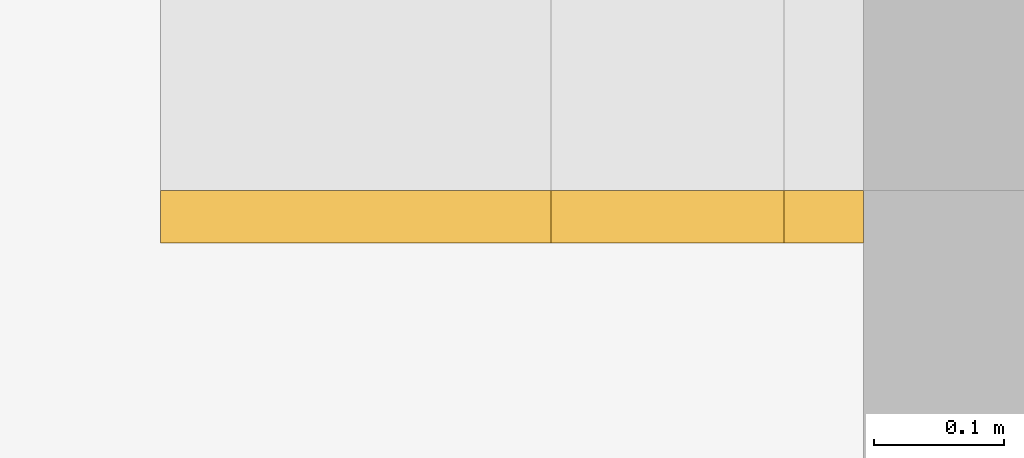
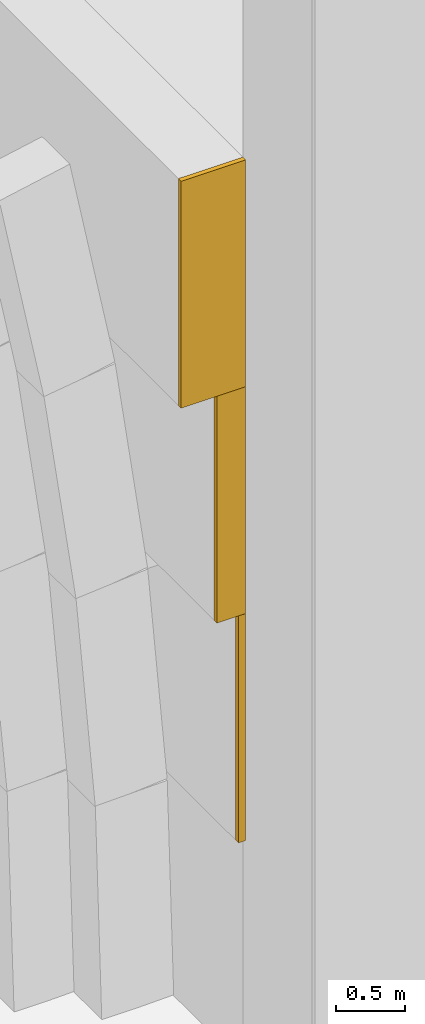
# One storey, part 25 of 34: 3 coverings.
"""IFC4 building model written with IfcOpenShell, lengths in metres."""

import ifcopenshell
import ifcopenshell.guid

model = None  # the IFC model being written
_history = None  # IfcOwnerHistory: only IFC2X3 demands one
_inside = {}  # id of a spatial element -> (the spatial element, [elements in it])
_under = {}  # id of a project, library or spatial element -> (it, [spatial elements below it])
_declared = {}  # id of a project -> (the project, [libraries it declares])
_typed = {}  # id of a type object -> (the type object, [elements of that type])
_made_of = {}  # id of a material, layer set ... -> (it, [elements and type objects made of it])


def new_model(schema):
    """Start an empty IFC model of exactly this schema.

    Asked for "IFC4X3", IfcOpenShell would pick the latest addendum, in which some entities
    have other attributes; the version numbers below select the first issue.
    IFC2X3 requires an IfcOwnerHistory on every rooted entity: one is made here for all.
    """
    global model, _history
    if schema == "IFC4X3":
        model = ifcopenshell.file(schema_version=(4, 3, 0, 0))
    else:
        model = ifcopenshell.file(schema=schema)
    _inside.clear()
    _under.clear()
    _declared.clear()
    _typed.clear()
    _made_of.clear()
    _history = None
    if model.schema == "IFC2X3":
        org = make("IfcOrganization", Name="unknown")
        user = make(
            "IfcPersonAndOrganization",
            ThePerson=make("IfcPerson", FamilyName="unknown"),
            TheOrganization=org,
        )
        app = make(
            "IfcApplication",
            ApplicationDeveloper=org,
            Version="unknown",
            ApplicationFullName="unknown",
            ApplicationIdentifier="unknown",
        )
        _history = make(
            "IfcOwnerHistory",
            OwningUser=user,
            OwningApplication=app,
            ChangeAction="ADDED",
            CreationDate=0,
        )
    return model


def make(cls, **values):
    """One entity of the class cls with the attributes given. An attribute that is None is left unset."""
    return model.create_entity(
        cls, **{name: value for name, value in values.items() if value is not None}
    )


def rooted(cls, **values):
    """An entity with a GlobalId (a new one), such as an element, a storey or a relation."""
    return make(cls, GlobalId=ifcopenshell.guid.new(), OwnerHistory=_history, **values)


def si_unit(unit_type, name, prefix=None):
    """IfcSIUnit, for example si_unit("LENGTHUNIT", "METRE", prefix="MILLI")."""
    return make("IfcSIUnit", UnitType=unit_type, Prefix=prefix, Name=name)


def assignment(units):
    """IfcUnitAssignment: the units of a project."""
    return None if units is None else make("IfcUnitAssignment", Units=units)


def point(xyz):
    """IfcCartesianPoint."""
    return None if xyz is None else make("IfcCartesianPoint", Coordinates=xyz)


def direction(xyz):
    """IfcDirection."""
    return None if xyz is None else make("IfcDirection", DirectionRatios=xyz)


def frame(location, z_axis=None, x_axis=None):
    """IfcAxis2Placement3D, a coordinate frame: its origin and axes. An axis left out is left unset."""
    return make(
        "IfcAxis2Placement3D",
        Location=point(location),
        Axis=direction(z_axis),
        RefDirection=direction(x_axis),
    )


def origin():
    """The frame at (0, 0, 0) with its axes left unset."""
    return frame((0.0, 0.0, 0.0))


def place(relative_to, where):
    """IfcLocalPlacement: puts the frame where relative to a parent placement (None: the world)."""
    return make(
        "IfcLocalPlacement", PlacementRelTo=relative_to, RelativePlacement=where
    )


def context(
    kind, dimensions, precision=None, world=None, true_north=None, identifier=None
):
    """IfcGeometricRepresentationContext, for example the 3D "Model" context."""
    return make(
        "IfcGeometricRepresentationContext",
        ContextIdentifier=identifier,
        ContextType=kind,
        CoordinateSpaceDimension=dimensions,
        Precision=precision,
        WorldCoordinateSystem=world,
        TrueNorth=true_north,
    )


def subcontext(parent, identifier, kind, view, scale=None):
    """IfcGeometricRepresentationSubContext, for example "Body" below "Model"."""
    return make(
        "IfcGeometricRepresentationSubContext",
        ContextIdentifier=identifier,
        ContextType=kind,
        ParentContext=parent,
        TargetScale=scale,
        TargetView=view,
    )


def project(units=None, contexts=None):
    """IfcProject with its units and contexts."""
    return rooted(
        "IfcProject",
        Name="project",
        RepresentationContexts=contexts,
        UnitsInContext=assignment(units),
    )


def spatial(cls, under=None, at=None, **own):
    """A site, building, storey or space (cls), placed at a placement, below another one or the project."""
    s = rooted(cls, ObjectPlacement=at, **own)
    if under is not None:
        _under.setdefault(under.id(), (under, []))[1].append(s)
    return s


def polyline(points):
    """IfcPolyline through the points."""
    return make("IfcPolyline", Points=[point(p) for p in points])


def outline(outer, holes=None, kind="AREA"):
    """IfcArbitraryClosedProfileDef: a profile drawn as a closed curve; with holes, ...WithVoids."""
    if holes is None:
        return make("IfcArbitraryClosedProfileDef", ProfileType=kind, OuterCurve=outer)
    return make(
        "IfcArbitraryProfileDefWithVoids",
        ProfileType=kind,
        OuterCurve=outer,
        InnerCurves=holes,
    )


def extrude(swept, where, along, depth):
    """IfcExtrudedAreaSolid: the profile swept, set in the frame where, extruded along a direction by depth."""
    return make(
        "IfcExtrudedAreaSolid",
        SweptArea=swept,
        Position=where,
        ExtrudedDirection=direction(along),
        Depth=depth,
    )


def shape(context_of_items, identifier, shape_type, items):
    """IfcShapeRepresentation: the items that make up one representation, for example the "Body"."""
    return make(
        "IfcShapeRepresentation",
        ContextOfItems=context_of_items,
        RepresentationIdentifier=identifier,
        RepresentationType=shape_type,
        Items=items,
    )


def material(Name=None, Category=None):
    """IfcMaterial."""
    return make("IfcMaterial", Name=Name, Category=Category)


def layer(
    of_material, thickness, ventilated=None, Name=None, Category=None, Priority=None
):
    """IfcMaterialLayer: one layer of a wall or slab, of a material (None: an air gap)."""
    return make(
        "IfcMaterialLayer",
        Material=of_material,
        LayerThickness=thickness,
        IsVentilated=ventilated,
        Name=Name,
        Category=Category,
        Priority=Priority,
    )


def layer_set(layers, Name=None):
    """IfcMaterialLayerSet."""
    return make("IfcMaterialLayerSet", MaterialLayers=layers, LayerSetName=Name)


def made_of(thing, what):
    """Note that an element or type object is made of a material, layer set ...; save() writes the relation."""
    if what is not None:
        _made_of.setdefault(what.id(), (what, []))[1].append(thing)
    return thing


def type_object(cls, material=None, **own):
    """A type object (cls), such as IfcWallType, which elements share."""
    return made_of(rooted(cls, **own), material)


def element(
    cls,
    number,
    at=None,
    inside=None,
    cuts=None,
    type_object=None,
    material=None,
    context=None,
    identifier="Body",
    shape_type=None,
    held_by="IfcProductDefinitionShape",
    body=None,
    shapes=None,
    **own,
):
    """One element of the class cls, such as IfcWall. Its Tag is "e" and its number.

    at: its placement. inside: the storey or other place that contains it. cuts: it is an
    opening in that element (IfcRelVoidsElement). A single representation is given by context,
    identifier, shape_type and body (its items); several are given by shapes. held_by: the class
    of the entity that holds the representations. save() writes the other relations.
    """
    e = rooted(cls, Tag="e%d" % number, ObjectPlacement=at, **own)
    if body is not None:
        shapes = [shape(context, identifier, shape_type, body)]
    if shapes is not None:
        e.Representation = make(held_by, Representations=shapes)
    if inside is not None:
        _inside.setdefault(inside.id(), (inside, []))[1].append(e)
    if cuts is not None:
        rooted(
            "IfcRelVoidsElement", RelatingBuildingElement=cuts, RelatedOpeningElement=e
        )
    if type_object is not None:
        _typed.setdefault(type_object.id(), (type_object, []))[1].append(e)
    return made_of(e, material)


def aggregate(whole, parts):
    """IfcRelAggregates: a whole, such as a stair, and the parts it consists of."""
    return rooted("IfcRelAggregates", RelatingObject=whole, RelatedObjects=parts)


def save(model, path):
    """Write the relations noted so far, then the file.

    IfcRelAggregates (storeys below a building ...), IfcRelContainedInSpatialStructure (elements
    in a storey), IfcRelDefinesByType, IfcRelAssociatesMaterial and IfcRelDeclares: one each for
    every whole, place, type object, material and project.
    """
    for whole, parts in _under.values():
        aggregate(whole, parts)
    for where, things in _inside.values():
        rooted(
            "IfcRelContainedInSpatialStructure",
            RelatedElements=things,
            RelatingStructure=where,
        )
    for kind, things in _typed.values():
        rooted("IfcRelDefinesByType", RelatedObjects=things, RelatingType=kind)
    for what, things in _made_of.values():
        rooted("IfcRelAssociatesMaterial", RelatedObjects=things, RelatingMaterial=what)
    for by, libraries in _declared.values():
        rooted("IfcRelDeclares", RelatingContext=by, RelatedDefinitions=libraries)
    model.write(path)


model = new_model("IFC4")

# Units and contexts
model_context = context("Model", 3, precision=1e-05, world=origin(), true_north=direction((0.0, 1.0)))
body_context = subcontext(model_context, "Body", "Model", "MODEL_VIEW")
ifc_project = project(units=[si_unit("LENGTHUNIT", "METRE"), si_unit("AREAUNIT", "SQUARE_METRE"), si_unit("VOLUMEUNIT", "CUBIC_METRE"), si_unit("PLANEANGLEUNIT", "RADIAN"), si_unit("MASSUNIT", "GRAM", prefix="KILO")], contexts=[model_context])

# Site, building, storey
site_placement = place(None, origin())
site = spatial("IfcSite", under=ifc_project, at=site_placement, CompositionType="ELEMENT")
building_placement = place(site_placement, origin())
building = spatial("IfcBuilding", under=site, at=building_placement, Name="Firuza Gate Tower and Library", CompositionType="ELEMENT")
storey_placement = place(building_placement, origin())
storey = spatial("IfcBuildingStorey", under=building, at=storey_placement, Name="L00", CompositionType="ELEMENT", Elevation=0.0)

# Coverings
ifc_material = material(Name="Glazed ceramic tile")
ifc_layer = layer(ifc_material, 0.0400390625)
ifc_layer_set = layer_set([ifc_layer], Name="Glazed tile cladding 40")
covering_type = type_object("IfcCoveringType", Name="Glazed tile cladding 40", PredefinedType="CLADDING", material=ifc_layer_set)
covering_1_placement = place(storey_placement, frame((92.939208984375, 54.17529296875, 2.0), z_axis=(0.0, -1.0, 0.0), x_axis=(1.0, 0.0, 0.0)))
element("IfcCovering", 1, at=covering_1_placement, inside=storey, type_object=covering_type, Name="Gate tile 2", PredefinedType="CLADDING", context=body_context, shape_type="SweptSolid", body=[
    extrude(outline(polyline([(0.0, 0.0), (0.060791015625, 0.0), (0.060791015625, 2.0), (0.0, 2.0), (0.0, 0.0)])), origin(), (0.0, 0.0, -1.0), 0.0400390625),
])
covering_2_placement = place(storey_placement, frame((92.760009765625, 54.17529296875, 4.0), z_axis=(0.0, -1.0, 0.0), x_axis=(1.0, 0.0, 0.0)))
element("IfcCovering", 2, at=covering_2_placement, inside=storey, type_object=covering_type, Name="Gate tile 4", PredefinedType="CLADDING", context=body_context, shape_type="SweptSolid", body=[
    extrude(outline(polyline([(0.0, 0.0), (0.239990234375, 0.0), (0.239990234375, 2.0), (0.0, 2.0), (0.0, 0.0)])), origin(), (0.0, 0.0, -1.0), 0.0400390625),
])
covering_3_placement = place(storey_placement, frame((92.46044921875, 54.17529296875, 6.0), z_axis=(0.0, -1.0, 0.0), x_axis=(1.0, 0.0, 0.0)))
element("IfcCovering", 3, at=covering_3_placement, inside=storey, type_object=covering_type, Name="Gate tile 6", PredefinedType="CLADDING", context=body_context, shape_type="SweptSolid", body=[
    extrude(outline(polyline([(0.0, 0.0), (0.53955078125, 0.0), (0.53955078125, 2.0), (0.0, 2.0), (0.0, 0.0)])), origin(), (0.0, 0.0, -1.0), 0.0400390625),
])

save(model, "model.ifc")
